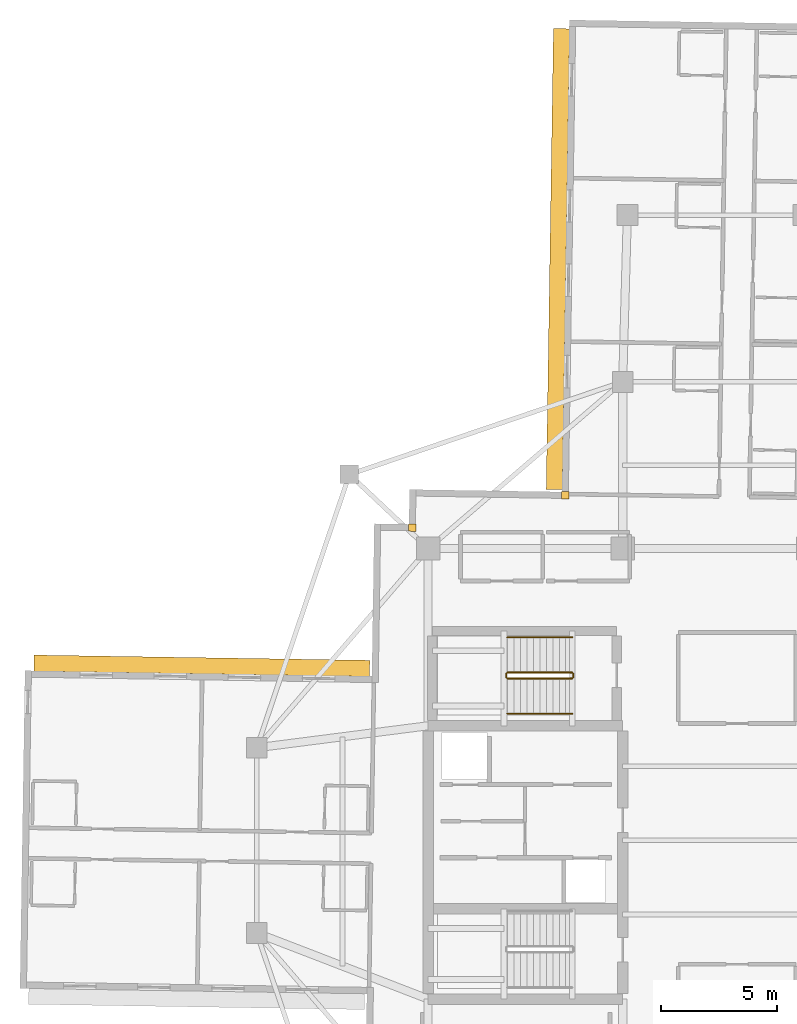
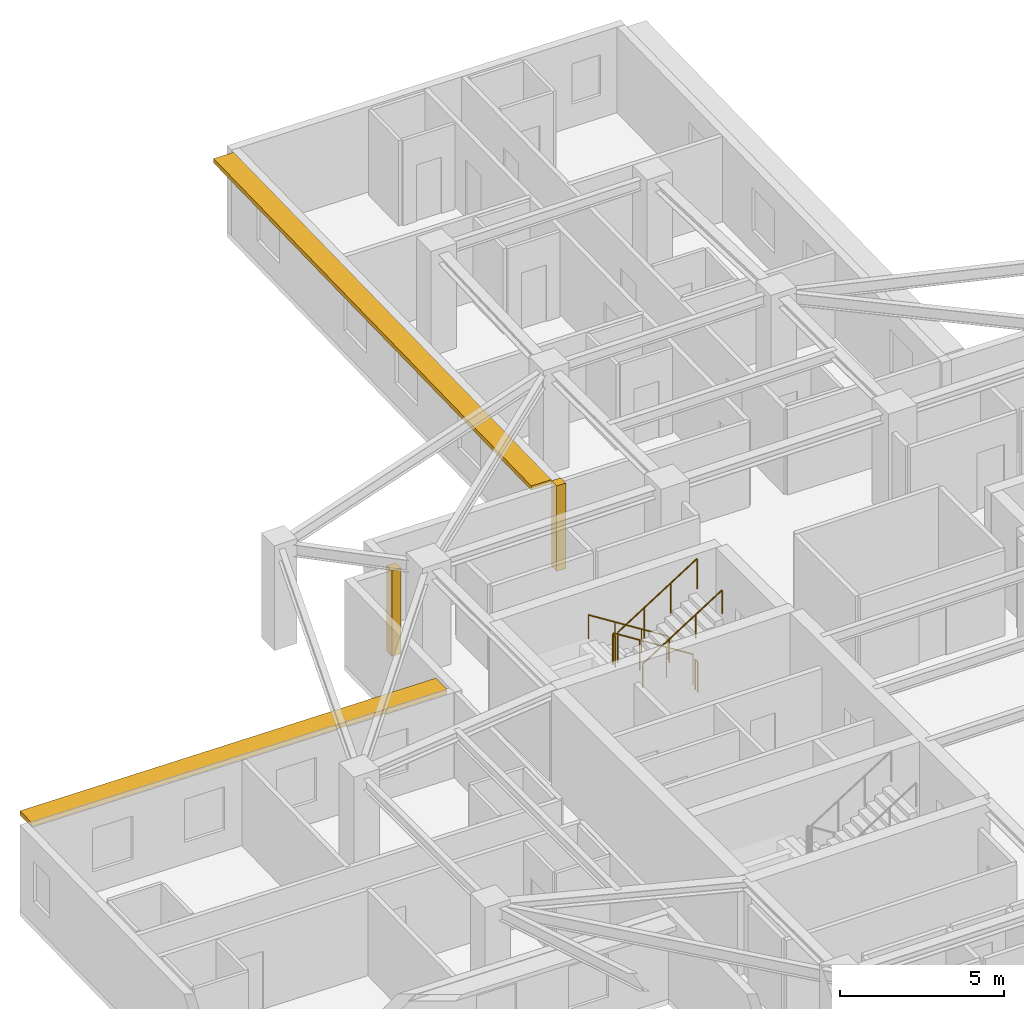
# One storey, part 12 of 13: 6 railings, 2 coverings, 2 shading devices.
"""IFC4 building model written with IfcOpenShell, lengths in metres."""

import ifcopenshell
import ifcopenshell.guid

model = None  # the IFC model being written
_history = None  # IfcOwnerHistory: only IFC2X3 demands one
_inside = {}  # id of a spatial element -> (the spatial element, [elements in it])
_under = {}  # id of a project, library or spatial element -> (it, [spatial elements below it])
_declared = {}  # id of a project -> (the project, [libraries it declares])
_typed = {}  # id of a type object -> (the type object, [elements of that type])
_made_of = {}  # id of a material, layer set ... -> (it, [elements and type objects made of it])


def new_model(schema):
    """Start an empty IFC model of exactly this schema.

    Asked for "IFC4X3", IfcOpenShell would pick the latest addendum, in which some entities
    have other attributes; the version numbers below select the first issue.
    IFC2X3 requires an IfcOwnerHistory on every rooted entity: one is made here for all.
    """
    global model, _history
    if schema == "IFC4X3":
        model = ifcopenshell.file(schema_version=(4, 3, 0, 0))
    else:
        model = ifcopenshell.file(schema=schema)
    _inside.clear()
    _under.clear()
    _declared.clear()
    _typed.clear()
    _made_of.clear()
    _history = None
    if model.schema == "IFC2X3":
        org = make("IfcOrganization", Name="unknown")
        user = make(
            "IfcPersonAndOrganization",
            ThePerson=make("IfcPerson", FamilyName="unknown"),
            TheOrganization=org,
        )
        app = make(
            "IfcApplication",
            ApplicationDeveloper=org,
            Version="unknown",
            ApplicationFullName="unknown",
            ApplicationIdentifier="unknown",
        )
        _history = make(
            "IfcOwnerHistory",
            OwningUser=user,
            OwningApplication=app,
            ChangeAction="ADDED",
            CreationDate=0,
        )
    return model


def make(cls, **values):
    """One entity of the class cls with the attributes given. An attribute that is None is left unset."""
    return model.create_entity(
        cls, **{name: value for name, value in values.items() if value is not None}
    )


def rooted(cls, **values):
    """An entity with a GlobalId (a new one), such as an element, a storey or a relation."""
    return make(cls, GlobalId=ifcopenshell.guid.new(), OwnerHistory=_history, **values)


def si_unit(unit_type, name, prefix=None):
    """IfcSIUnit, for example si_unit("LENGTHUNIT", "METRE", prefix="MILLI")."""
    return make("IfcSIUnit", UnitType=unit_type, Prefix=prefix, Name=name)


def assignment(units):
    """IfcUnitAssignment: the units of a project."""
    return None if units is None else make("IfcUnitAssignment", Units=units)


def point(xyz):
    """IfcCartesianPoint."""
    return None if xyz is None else make("IfcCartesianPoint", Coordinates=xyz)


def direction(xyz):
    """IfcDirection."""
    return None if xyz is None else make("IfcDirection", DirectionRatios=xyz)


def frame(location, z_axis=None, x_axis=None):
    """IfcAxis2Placement3D, a coordinate frame: its origin and axes. An axis left out is left unset."""
    return make(
        "IfcAxis2Placement3D",
        Location=point(location),
        Axis=direction(z_axis),
        RefDirection=direction(x_axis),
    )


def frame_2d(location, x_axis=None):
    """IfcAxis2Placement2D, a coordinate frame in the plane: its origin and x axis."""
    return make(
        "IfcAxis2Placement2D", Location=point(location), RefDirection=direction(x_axis)
    )


def origin():
    """The frame at (0, 0, 0) with its axes left unset."""
    return frame((0.0, 0.0, 0.0))


def origin_2d():
    """The frame at (0, 0) in the plane with its x axis left unset."""
    return frame_2d((0.0, 0.0))


def place(relative_to, where):
    """IfcLocalPlacement: puts the frame where relative to a parent placement (None: the world)."""
    return make(
        "IfcLocalPlacement", PlacementRelTo=relative_to, RelativePlacement=where
    )


def context(
    kind, dimensions, precision=None, world=None, true_north=None, identifier=None
):
    """IfcGeometricRepresentationContext, for example the 3D "Model" context."""
    return make(
        "IfcGeometricRepresentationContext",
        ContextIdentifier=identifier,
        ContextType=kind,
        CoordinateSpaceDimension=dimensions,
        Precision=precision,
        WorldCoordinateSystem=world,
        TrueNorth=true_north,
    )


def subcontext(parent, identifier, kind, view, scale=None):
    """IfcGeometricRepresentationSubContext, for example "Body" below "Model"."""
    return make(
        "IfcGeometricRepresentationSubContext",
        ContextIdentifier=identifier,
        ContextType=kind,
        ParentContext=parent,
        TargetScale=scale,
        TargetView=view,
    )


def project(units=None, contexts=None):
    """IfcProject with its units and contexts."""
    return rooted(
        "IfcProject",
        Name="project",
        RepresentationContexts=contexts,
        UnitsInContext=assignment(units),
    )


def spatial(cls, under=None, at=None, **own):
    """A site, building, storey or space (cls), placed at a placement, below another one or the project."""
    s = rooted(cls, ObjectPlacement=at, **own)
    if under is not None:
        _under.setdefault(under.id(), (under, []))[1].append(s)
    return s


def profile(cls, at=None, kind="AREA", **sizes):
    """A parametric profile (cls). Its sizes go by their IFC names, for example OverallWidth=200.0."""
    return make(cls, ProfileType=kind, Position=at, **sizes)


def rectangle(**sizes):
    """IfcRectangleProfileDef."""
    return profile("IfcRectangleProfileDef", **sizes)


def circle(**sizes):
    """IfcCircleProfileDef."""
    return profile("IfcCircleProfileDef", **sizes)


def extrude(swept, where, along, depth):
    """IfcExtrudedAreaSolid: the profile swept, set in the frame where, extruded along a direction by depth."""
    return make(
        "IfcExtrudedAreaSolid",
        SweptArea=swept,
        Position=where,
        ExtrudedDirection=direction(along),
        Depth=depth,
    )


def shape(context_of_items, identifier, shape_type, items):
    """IfcShapeRepresentation: the items that make up one representation, for example the "Body"."""
    return make(
        "IfcShapeRepresentation",
        ContextOfItems=context_of_items,
        RepresentationIdentifier=identifier,
        RepresentationType=shape_type,
        Items=items,
    )


def material(Name=None, Category=None):
    """IfcMaterial."""
    return make("IfcMaterial", Name=Name, Category=Category)


def layer(
    of_material, thickness, ventilated=None, Name=None, Category=None, Priority=None
):
    """IfcMaterialLayer: one layer of a wall or slab, of a material (None: an air gap)."""
    return make(
        "IfcMaterialLayer",
        Material=of_material,
        LayerThickness=thickness,
        IsVentilated=ventilated,
        Name=Name,
        Category=Category,
        Priority=Priority,
    )


def layer_set(layers, Name=None):
    """IfcMaterialLayerSet."""
    return make("IfcMaterialLayerSet", MaterialLayers=layers, LayerSetName=Name)


def made_of(thing, what):
    """Note that an element or type object is made of a material, layer set ...; save() writes the relation."""
    if what is not None:
        _made_of.setdefault(what.id(), (what, []))[1].append(thing)
    return thing


def type_object(cls, material=None, **own):
    """A type object (cls), such as IfcWallType, which elements share."""
    return made_of(rooted(cls, **own), material)


def element(
    cls,
    number,
    at=None,
    inside=None,
    cuts=None,
    type_object=None,
    material=None,
    context=None,
    identifier="Body",
    shape_type=None,
    held_by="IfcProductDefinitionShape",
    body=None,
    shapes=None,
    **own,
):
    """One element of the class cls, such as IfcWall. Its Tag is "e" and its number.

    at: its placement. inside: the storey or other place that contains it. cuts: it is an
    opening in that element (IfcRelVoidsElement). A single representation is given by context,
    identifier, shape_type and body (its items); several are given by shapes. held_by: the class
    of the entity that holds the representations. save() writes the other relations.
    """
    e = rooted(cls, Tag="e%d" % number, ObjectPlacement=at, **own)
    if body is not None:
        shapes = [shape(context, identifier, shape_type, body)]
    if shapes is not None:
        e.Representation = make(held_by, Representations=shapes)
    if inside is not None:
        _inside.setdefault(inside.id(), (inside, []))[1].append(e)
    if cuts is not None:
        rooted(
            "IfcRelVoidsElement", RelatingBuildingElement=cuts, RelatedOpeningElement=e
        )
    if type_object is not None:
        _typed.setdefault(type_object.id(), (type_object, []))[1].append(e)
    return made_of(e, material)


def aggregate(whole, parts):
    """IfcRelAggregates: a whole, such as a stair, and the parts it consists of."""
    return rooted("IfcRelAggregates", RelatingObject=whole, RelatedObjects=parts)


def save(model, path):
    """Write the relations noted so far, then the file.

    IfcRelAggregates (storeys below a building ...), IfcRelContainedInSpatialStructure (elements
    in a storey), IfcRelDefinesByType, IfcRelAssociatesMaterial and IfcRelDeclares: one each for
    every whole, place, type object, material and project.
    """
    for whole, parts in _under.values():
        aggregate(whole, parts)
    for where, things in _inside.values():
        rooted(
            "IfcRelContainedInSpatialStructure",
            RelatedElements=things,
            RelatingStructure=where,
        )
    for kind, things in _typed.values():
        rooted("IfcRelDefinesByType", RelatedObjects=things, RelatingType=kind)
    for what, things in _made_of.values():
        rooted("IfcRelAssociatesMaterial", RelatedObjects=things, RelatingMaterial=what)
    for by, libraries in _declared.values():
        rooted("IfcRelDeclares", RelatingContext=by, RelatedDefinitions=libraries)
    model.write(path)


model = new_model("IFC4")

# Units and contexts
model_context = context("Model", 3, precision=1e-05, world=origin(), true_north=direction((0.0, 1.0)))
body_context = subcontext(model_context, "Body", "Model", "MODEL_VIEW")
ifc_project = project(units=[si_unit("LENGTHUNIT", "METRE"), si_unit("AREAUNIT", "SQUARE_METRE"), si_unit("VOLUMEUNIT", "CUBIC_METRE"), si_unit("PLANEANGLEUNIT", "RADIAN"), si_unit("MASSUNIT", "GRAM", prefix="KILO")], contexts=[model_context])

# Site, building, storey
site_placement = place(None, origin())
site = spatial("IfcSite", under=ifc_project, at=site_placement, CompositionType="ELEMENT")
building_placement = place(site_placement, origin())
building = spatial("IfcBuilding", under=site, at=building_placement, Name="Qingluan Cross Belvedere", CompositionType="ELEMENT")
storey_placement = place(building_placement, frame((0.0, 0.0, 228.60009765625)))
storey = spatial("IfcBuildingStorey", under=building, at=storey_placement, Name="L57", CompositionType="ELEMENT", Elevation=228.60009765625)

# Coverings
ifc_material_1 = material(Name="Precast concrete C45", Category="concrete")
ifc_layer_1 = layer(ifc_material_1, 0.1201171875, Name="ConcreteSpandrelCladding_120")
ifc_layer_set_1 = layer_set([ifc_layer_1], Name="Precast concrete C45")
covering_type = type_object("IfcCoveringType", Name="ConcreteSpandrelCladding_120", PredefinedType="CLADDING", material=ifc_layer_set_1)
for number, where, z_axis, x_axis, name in (
    (1, (-13.089599609375, 13.50732421875, 0.0), (0.0, 0.0, 1.0), (0.999876632482, -0.015707317312, 0.0), "Corner closure L57-NW1"),
    (2, (-6.48681640625, 14.90380859375, 0.0), (0.0, 0.0, 1.0), (0.999876632482, -0.015707317312, 0.0), "Corner closure L57-NW2"),
):
    element("IfcCovering", number, at=place(storey_placement, frame(where, z_axis=z_axis, x_axis=x_axis)), inside=storey, type_object=covering_type, Name=name, PredefinedType="CLADDING", context=body_context, shape_type="SweptSolid", body=[
        extrude(rectangle(XDim=0.320068359375, YDim=0.320068359375, at=origin_2d()), origin(), (0.0, 0.0, 1.0), 3.179931640625),
    ])

# Shading devices
ifc_material_2 = material(Name="Precast concrete C45", Category="concrete")
ifc_layer_2 = layer(ifc_material_2, 0.139892578125, Name="ConcreteSunshadeBand_700")
ifc_layer_set_2 = layer_set([ifc_layer_2], Name="Precast concrete C45")
shading_device_type = type_object("IfcShadingDeviceType", Name="ConcreteSunshadeBand_700", PredefinedType="USERDEFINED", material=ifc_layer_set_2)
shading_device_1_placement = place(storey_placement, frame((-6.796630859375, 25.099853515625, 3.0), z_axis=(0.0, 0.0, 1.0), x_axis=(-0.015706483741, -0.999876645576, 0.0)))
element("IfcShadingDevice", 3, at=shading_device_1_placement, inside=storey, type_object=shading_device_type, Name="Concrete SUNSHADE L57-NB", ObjectType="SUNSHADE", PredefinedType="USERDEFINED", context=body_context, shape_type="SweptSolid", body=[
    extrude(rectangle(XDim=19.89990234375, YDim=0.699951171875, at=origin_2d()), origin(), (0.0, 0.0, 1.0), 0.159912109375),
])
shading_device_2_placement = place(storey_placement, frame((-22.17431640625, 7.539306640625, 3.0), z_axis=(0.0, 0.0, 1.0), x_axis=(-0.999876630106, 0.015707468526, 0.0)))
element("IfcShadingDevice", 4, at=shading_device_2_placement, inside=storey, type_object=shading_device_type, Name="Concrete SUNSHADE L57-WA", ObjectType="SUNSHADE", PredefinedType="USERDEFINED", context=body_context, shape_type="SweptSolid", body=[
    extrude(rectangle(XDim=14.5, YDim=0.699951171875, at=origin_2d()), origin(), (0.0, 0.0, 1.0), 0.159912109375),
])

# Railings
ifc_material_3 = material(Name="Brushed stainless steel tubular handrail", Category="steel")
railing_type_1 = type_object("IfcRailingType", Name="StairPitchHandrail_900", PredefinedType="HANDRAIL", material=ifc_material_3)
railing_1_placement = place(storey_placement, frame((-6.179931640625, 8.77001953125, 0.17724609375)))
element("IfcRailing", 5, at=railing_1_placement, inside=storey, type_object=railing_type_1, Name="L57 ST3 stair handrail 1", PredefinedType="HANDRAIL", context=body_context, shape_type="SweptSolid", body=[
    extrude(circle(Radius=0.02392578125, at=origin_2d()), frame((0.0, 0.0, 0.8759765625), z_axis=(-0.844908973607, 0.0, 0.534910110503), x_axis=(0.0, -1.0, 0.0)), (0.0, 0.0, 1.0), 3.31396484375),
    extrude(circle(Radius=0.02099609375, at=origin_2d()), origin(), (0.0, 0.0, 1.0), 0.851806640625),
    extrude(circle(Radius=0.02099609375, at=origin_2d()), frame((-0.933349609375, 0.0, 0.5908203125)), (0.0, 0.0, 1.0), 0.851806640625),
    extrude(circle(Radius=0.02099609375, at=origin_2d()), frame((-1.86669921875, 0.0, 1.181884765625)), (0.0, 0.0, 1.0), 0.851806640625),
    extrude(circle(Radius=0.02099609375, at=origin_2d()), frame((-2.800048828125, 0.0, 1.772705078125)), (0.0, 0.0, 1.0), 0.851806640625),
])
railing_2_placement = place(storey_placement, frame((-8.97998046875, 5.469970703125, 2.127197265625)))
element("IfcRailing", 6, at=railing_2_placement, inside=storey, type_object=railing_type_1, Name="L57 ST3 stair handrail 2", PredefinedType="HANDRAIL", context=body_context, shape_type="SweptSolid", body=[
    extrude(circle(Radius=0.02392578125, at=origin_2d()), frame((0.0, 0.0, 0.8759765625), z_axis=(0.844908973607, 0.0, 0.534910110503), x_axis=(0.0, 1.0, 0.0)), (0.0, 0.0, 1.0), 3.31396484375),
    extrude(circle(Radius=0.02099609375, at=origin_2d()), origin(), (0.0, 0.0, 1.0), 0.851806640625),
    extrude(circle(Radius=0.02099609375, at=origin_2d()), frame((0.933349609375, 0.0, 0.5908203125)), (0.0, 0.0, 1.0), 0.851806640625),
    extrude(circle(Radius=0.02099609375, at=origin_2d()), frame((1.86669921875, 0.0, 1.181884765625)), (0.0, 0.0, 1.0), 0.851806640625),
    extrude(circle(Radius=0.02099609375, at=origin_2d()), frame((2.800048828125, 0.0, 1.772705078125)), (0.0, 0.0, 1.0), 0.851806640625),
])
ifc_material_4 = material(Name="Painted steel stair well guard", Category="steel")
railing_type_2 = type_object("IfcRailingType", Name="StairWellGuard_1150", PredefinedType="BALUSTRADE", material=ifc_material_4)
railing_3_placement = place(storey_placement, frame((-6.179931640625, 7.25, 0.17724609375)))
element("IfcRailing", 7, at=railing_3_placement, inside=storey, type_object=railing_type_2, Name="L57 ST3 stair guard 1", PredefinedType="BALUSTRADE", context=body_context, shape_type="SweptSolid", body=[
    extrude(circle(Radius=0.02392578125, at=origin_2d()), frame((0.0, 0.0, 1.1259765625), z_axis=(-0.844908973607, 0.0, 0.534910110503), x_axis=(0.0, -1.0, 0.0)), (0.0, 0.0, 1.0), 3.31396484375),
    extrude(circle(Radius=0.02099609375, at=origin_2d()), origin(), (0.0, 0.0, 1.0), 1.101806640625),
    extrude(circle(Radius=0.02099609375, at=origin_2d()), frame((-0.933349609375, 0.0, 0.5908203125)), (0.0, 0.0, 1.0), 1.101806640625),
    extrude(circle(Radius=0.02099609375, at=origin_2d()), frame((-1.86669921875, 0.0, 1.181884765625)), (0.0, 0.0, 1.0), 1.101806640625),
    extrude(circle(Radius=0.02099609375, at=origin_2d()), frame((-2.800048828125, 0.0, 1.772705078125)), (0.0, 0.0, 1.0), 1.101806640625),
])
railing_4_placement = place(storey_placement, frame((-9.030029296875, 7.199951171875, 1.949951171875)))
element("IfcRailing", 8, at=railing_4_placement, inside=storey, type_object=railing_type_2, Name="L57 ST3 stair guard 2", PredefinedType="BALUSTRADE", context=body_context, shape_type="SweptSolid", body=[
    extrude(circle(Radius=0.02392578125, at=origin_2d()), frame((0.0, 0.0, 1.1259765625), z_axis=(0.0, -1.0, 0.0), x_axis=(1.0, 0.0, 0.0)), (0.0, 0.0, 1.0), 0.159912109375),
    extrude(circle(Radius=0.02099609375, at=origin_2d()), origin(), (0.0, 0.0, 1.0), 1.101806640625),
    extrude(circle(Radius=0.02099609375, at=origin_2d()), frame((0.0, -0.159912109375, 0.0)), (0.0, 0.0, 1.0), 1.101806640625),
])
railing_5_placement = place(storey_placement, frame((-8.97998046875, 6.989990234375, 2.127197265625)))
element("IfcRailing", 9, at=railing_5_placement, inside=storey, type_object=railing_type_2, Name="L57 ST3 stair guard 3", PredefinedType="BALUSTRADE", context=body_context, shape_type="SweptSolid", body=[
    extrude(circle(Radius=0.02392578125, at=origin_2d()), frame((0.0, 0.0, 1.1259765625), z_axis=(0.844908973607, 0.0, 0.534910110503), x_axis=(0.0, 1.0, 0.0)), (0.0, 0.0, 1.0), 3.31396484375),
    extrude(circle(Radius=0.02099609375, at=origin_2d()), origin(), (0.0, 0.0, 1.0), 1.101806640625),
    extrude(circle(Radius=0.02099609375, at=origin_2d()), frame((0.933349609375, 0.0, 0.5908203125)), (0.0, 0.0, 1.0), 1.101806640625),
    extrude(circle(Radius=0.02099609375, at=origin_2d()), frame((1.86669921875, 0.0, 1.181884765625)), (0.0, 0.0, 1.0), 1.101806640625),
    extrude(circle(Radius=0.02099609375, at=origin_2d()), frame((2.800048828125, 0.0, 1.772705078125)), (0.0, 0.0, 1.0), 1.101806640625),
])
railing_6_placement = place(storey_placement, frame((-6.1298828125, 7.199951171875, 0.0)))
element("IfcRailing", 10, at=railing_6_placement, inside=storey, type_object=railing_type_2, Name="L57 ST3 stair guard 4", PredefinedType="BALUSTRADE", context=body_context, shape_type="SweptSolid", body=[
    extrude(circle(Radius=0.02392578125, at=origin_2d()), frame((0.0, 0.0, 1.1259765625), z_axis=(0.0, -1.0, 0.0), x_axis=(1.0, 0.0, 0.0)), (0.0, 0.0, 1.0), 0.159912109375),
    extrude(circle(Radius=0.02099609375, at=origin_2d()), origin(), (0.0, 0.0, 1.0), 1.101806640625),
    extrude(circle(Radius=0.02099609375, at=origin_2d()), frame((0.0, -0.159912109375, 0.0)), (0.0, 0.0, 1.0), 1.101806640625),
])

save(model, "model.ifc")
